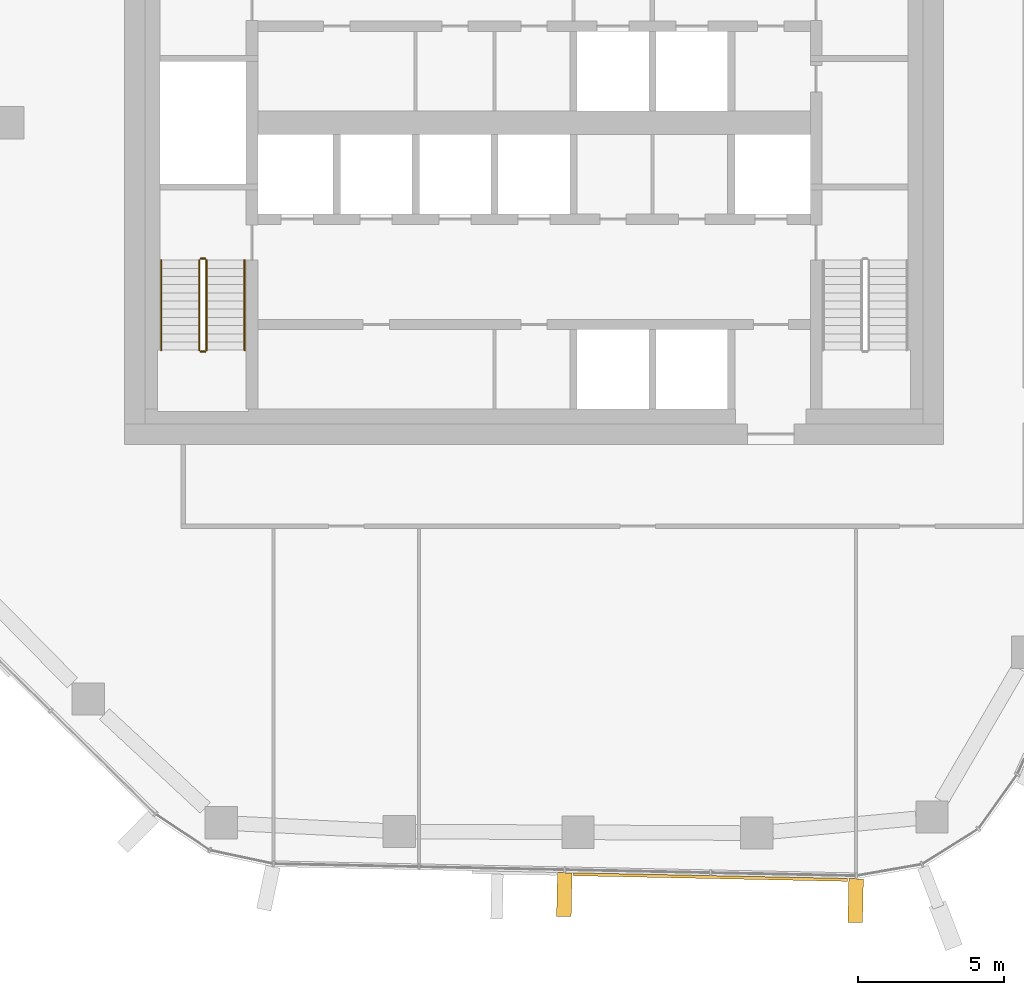
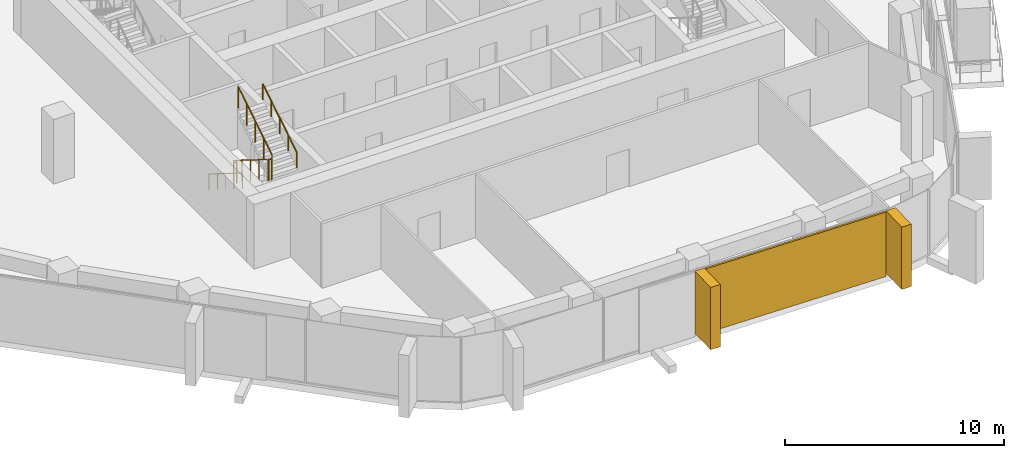
# One storey, part 16 of 21: 6 railings, 3 coverings, 1 element without a shape of its own.
"""IFC4 building model written with IfcOpenShell, lengths in metres."""

from ifc_helpers import new_model, si_unit, direction, frame, origin, origin_2d, place, context, subcontext, project, spatial, rectangle, circle, extrude, material, layer, layer_set, material_profile, profile_set, type_object, element, aggregate, save


model = new_model("IFC4")

# Units and contexts
model_context = context("Model", 3, precision=1e-05, world=origin(), true_north=direction((0.0, 1.0)))
body_context = subcontext(model_context, "Body", "Model", "MODEL_VIEW")
ifc_project = project(units=[si_unit("LENGTHUNIT", "METRE"), si_unit("AREAUNIT", "SQUARE_METRE"), si_unit("VOLUMEUNIT", "CUBIC_METRE"), si_unit("PLANEANGLEUNIT", "RADIAN"), si_unit("MASSUNIT", "GRAM", prefix="KILO")], contexts=[model_context])

# Site, building, storey
site_placement = place(None, origin())
site = spatial("IfcSite", under=ifc_project, at=site_placement, CompositionType="ELEMENT")
building_placement = place(site_placement, origin())
building = spatial("IfcBuilding", under=site, at=building_placement, Name="Dongbaek Canopy Tower", CompositionType="ELEMENT")
storey_placement = place(building_placement, frame((0.0, 0.0, 279.0)))
storey = spatial("IfcBuildingStorey", under=building, at=storey_placement, Name="L59", CompositionType="ELEMENT", Elevation=279.0)

# Curtain wall, coverings
ifc_material_1 = material(Name="Aluminium 6063-T6 pale anodised", Category="aluminium")
ifc_layer_1 = layer(ifc_material_1, 0.199951171875)
ifc_layer_set_1 = layer_set([ifc_layer_1], Name="CW-1 unitised tower curtain wall")
curtain_wall_type = type_object("IfcCurtainWallType", Name="CW-1 unitised tower curtain wall", PredefinedType="NOTDEFINED", material=ifc_layer_set_1)
curtain_wall_placement = place(storey_placement, origin())
curtain_wall = element("IfcCurtainWall", 1, at=curtain_wall_placement, inside=storey, type_object=curtain_wall_type, Name="CW-1 curtain wall F4.1", PredefinedType="NOTDEFINED")
ifc_material_2 = material(Name="Perforated aluminium 6063-T6 pale metal screen", Category="aluminium")
ifc_layer_2 = layer(ifc_material_2, 0.10009765625)
ifc_layer_set_2 = layer_set([ifc_layer_2], Name="Facet screen FS1 100 pale metal")
covering_type_1 = type_object("IfcCoveringType", Name="Facet screen FS1 100 pale metal", PredefinedType="CLADDING", material=ifc_layer_set_2)
covering_1_placement = place(storey_placement, frame((6.033447265625, -25.803466796875, 0.0), z_axis=(0.0, 0.0, 1.0), x_axis=(0.999789081443, -0.020537590596, 0.0)))
covering_1 = element("IfcCovering", 2, at=covering_1_placement, type_object=covering_type_1, Name="Facet screen L59 F4", PredefinedType="CLADDING", context=body_context, shape_type="SweptSolid", body=[
    extrude(rectangle(XDim=9.387451171875, YDim=0.10009765625, at=origin_2d()), origin(), (0.0, 0.0, 1.0), 3.60009765625),
])
ifc_material_3 = material(Name="Aluminium 6063-T6 pale metal fin", Category="aluminium")
ifc_material_profile = material_profile(ifc_material_3, rectangle(XDim=1.5, YDim=0.5, at=origin_2d()), Name="Fin FN1 500 x 1500 pale metal")
ifc_profile_set = profile_set([ifc_material_profile], Name="Aluminium 6063-T6 pale metal fin")
covering_type_2 = type_object("IfcCoveringType", Name="Fin FN1 500 x 1500 pale metal", PredefinedType="CLADDING", material=ifc_profile_set)
covering_2_placement = place(storey_placement, frame((1.036376953125, -26.40478515625, 0.1201171875), z_axis=(0.0, 0.0, 1.0), x_axis=(-0.020537333389, -0.999789086726, 0.0)))
covering_2 = element("IfcCovering", 3, at=covering_2_placement, type_object=covering_type_2, Name="Fin F4.1.3", PredefinedType="CLADDING", context=body_context, shape_type="SweptSolid", body=[
    extrude(rectangle(XDim=1.5, YDim=0.5, at=origin_2d()), origin(), (0.0, 0.0, 1.0), 3.47998046875),
])
covering_3_placement = place(storey_placement, frame((11.001708984375, -26.609619140625, 0.1201171875), z_axis=(0.0, 0.0, 1.0), x_axis=(-0.020537333389, -0.999789086726, 0.0)))
covering_3 = element("IfcCovering", 4, at=covering_3_placement, type_object=covering_type_2, Name="Fin F4.1.5", PredefinedType="CLADDING", context=body_context, shape_type="SweptSolid", body=[
    extrude(rectangle(XDim=1.5, YDim=0.5, at=origin_2d()), origin(), (0.0, 0.0, 1.0), 3.47998046875),
])
aggregate(curtain_wall, [covering_2, covering_3, covering_1])

# Railings
ifc_material_4 = material(Name="Stainless steel tube and balusters", Category="steel")
railing_type_1 = type_object("IfcRailingType", Name="Stair guard 1200", PredefinedType="GUARDRAIL", material=ifc_material_4)
railing_1_placement = place(storey_placement, frame((-11.449951171875, -4.699951171875, 0.175048828125)))
element("IfcRailing", 5, at=railing_1_placement, inside=storey, type_object=railing_type_1, Name="L59 ST-D stair guard 1", PredefinedType="GUARDRAIL", context=body_context, shape_type="SweptSolid", body=[
    extrude(circle(Radius=0.02392578125, at=origin_2d()), frame((0.0, 0.0, 1.17578125), z_axis=(0.0, -0.847998304005, 0.529998940003), x_axis=(1.0, 0.0, 0.0)), (0.0, 0.0, 1.0), 3.632080078125),
    extrude(circle(Radius=0.02099609375, at=origin_2d()), origin(), (0.0, 0.0, 1.0), 1.15185546875),
    extrude(circle(Radius=0.02099609375, at=origin_2d()), frame((0.0, -0.77001953125, 0.481201171875)), (0.0, 0.0, 1.0), 1.15185546875),
    extrude(circle(Radius=0.02099609375, at=origin_2d()), frame((0.0, -1.5400390625, 0.96240234375)), (0.0, 0.0, 1.0), 1.15185546875),
    extrude(circle(Radius=0.02099609375, at=origin_2d()), frame((0.0, -2.31005859375, 1.44384765625)), (0.0, 0.0, 1.0), 1.15185546875),
    extrude(circle(Radius=0.02099609375, at=origin_2d()), frame((0.0, -3.080078125, 1.925048828125)), (0.0, 0.0, 1.0), 1.15185546875),
])
railing_2_placement = place(storey_placement, frame((-11.39990234375, -7.830078125, 2.10009765625)))
element("IfcRailing", 6, at=railing_2_placement, inside=storey, type_object=railing_type_1, Name="L59 ST-D stair guard 2", PredefinedType="GUARDRAIL", context=body_context, shape_type="SweptSolid", body=[
    extrude(circle(Radius=0.02392578125, at=origin_2d()), frame((0.0, 0.0, 1.17578125), z_axis=(1.0, 0.0, 0.0), x_axis=(0.0, 1.0, 0.0)), (0.0, 0.0, 1.0), 0.14990234375),
    extrude(circle(Radius=0.02099609375, at=origin_2d()), origin(), (0.0, 0.0, 1.0), 1.15185546875),
    extrude(circle(Radius=0.02099609375, at=origin_2d()), frame((0.14990234375, 0.0, 0.0)), (0.0, 0.0, 1.0), 1.15185546875),
])
railing_3_placement = place(storey_placement, frame((-11.199951171875, -7.780029296875, 2.27490234375)))
element("IfcRailing", 7, at=railing_3_placement, inside=storey, type_object=railing_type_1, Name="L59 ST-D stair guard 3", PredefinedType="GUARDRAIL", context=body_context, shape_type="SweptSolid", body=[
    extrude(circle(Radius=0.02392578125, at=origin_2d()), frame((0.0, 0.0, 1.17578125), z_axis=(0.0, 0.847998304005, 0.529998940003), x_axis=(-1.0, 0.0, 0.0)), (0.0, 0.0, 1.0), 3.632080078125),
    extrude(circle(Radius=0.02099609375, at=origin_2d()), origin(), (0.0, 0.0, 1.0), 1.15185546875),
    extrude(circle(Radius=0.02099609375, at=origin_2d()), frame((0.0, 0.77001953125, 0.481201171875)), (0.0, 0.0, 1.0), 1.15185546875),
    extrude(circle(Radius=0.02099609375, at=origin_2d()), frame((0.0, 1.5400390625, 0.96240234375)), (0.0, 0.0, 1.0), 1.15185546875),
    extrude(circle(Radius=0.02099609375, at=origin_2d()), frame((0.0, 2.31005859375, 1.44384765625)), (0.0, 0.0, 1.0), 1.15185546875),
    extrude(circle(Radius=0.02099609375, at=origin_2d()), frame((0.0, 3.080078125, 1.925048828125)), (0.0, 0.0, 1.0), 1.15185546875),
])
railing_4_placement = place(storey_placement, frame((-11.39990234375, -4.64990234375, 0.0)))
element("IfcRailing", 8, at=railing_4_placement, inside=storey, type_object=railing_type_1, Name="L59 ST-D stair guard 4", PredefinedType="GUARDRAIL", context=body_context, shape_type="SweptSolid", body=[
    extrude(circle(Radius=0.02392578125, at=origin_2d()), frame((0.0, 0.0, 1.17578125), z_axis=(1.0, 0.0, 0.0), x_axis=(0.0, 1.0, 0.0)), (0.0, 0.0, 1.0), 0.14990234375),
    extrude(circle(Radius=0.02099609375, at=origin_2d()), origin(), (0.0, 0.0, 1.0), 1.15185546875),
    extrude(circle(Radius=0.02099609375, at=origin_2d()), frame((0.14990234375, 0.0, 0.0)), (0.0, 0.0, 1.0), 1.15185546875),
])
ifc_material_5 = material(Name="Stainless steel tube", Category="steel")
railing_type_2 = type_object("IfcRailingType", Name="Stair handrail 900", PredefinedType="HANDRAIL", material=ifc_material_5)
railing_5_placement = place(storey_placement, frame((-12.75, -4.699951171875, 0.175048828125)))
element("IfcRailing", 9, at=railing_5_placement, inside=storey, type_object=railing_type_2, Name="L59 ST-D stair handrail 1", PredefinedType="HANDRAIL", context=body_context, shape_type="SweptSolid", body=[
    extrude(circle(Radius=0.02392578125, at=origin_2d()), frame((0.0, 0.0, 0.8759765625), z_axis=(0.0, -0.847998304005, 0.529998940003), x_axis=(1.0, 0.0, 0.0)), (0.0, 0.0, 1.0), 3.632080078125),
    extrude(circle(Radius=0.02099609375, at=origin_2d()), origin(), (0.0, 0.0, 1.0), 0.851806640625),
    extrude(circle(Radius=0.02099609375, at=origin_2d()), frame((0.0, -0.77001953125, 0.481201171875)), (0.0, 0.0, 1.0), 0.851806640625),
    extrude(circle(Radius=0.02099609375, at=origin_2d()), frame((0.0, -1.5400390625, 0.96240234375)), (0.0, 0.0, 1.0), 0.851806640625),
    extrude(circle(Radius=0.02099609375, at=origin_2d()), frame((0.0, -2.31005859375, 1.44384765625)), (0.0, 0.0, 1.0), 0.851806640625),
    extrude(circle(Radius=0.02099609375, at=origin_2d()), frame((0.0, -3.080078125, 1.925048828125)), (0.0, 0.0, 1.0), 0.851806640625),
])
railing_6_placement = place(storey_placement, frame((-9.89990234375, -7.780029296875, 2.27490234375)))
element("IfcRailing", 10, at=railing_6_placement, inside=storey, type_object=railing_type_2, Name="L59 ST-D stair handrail 2", PredefinedType="HANDRAIL", context=body_context, shape_type="SweptSolid", body=[
    extrude(circle(Radius=0.02392578125, at=origin_2d()), frame((0.0, 0.0, 0.8759765625), z_axis=(0.0, 0.847998304005, 0.529998940003), x_axis=(-1.0, 0.0, 0.0)), (0.0, 0.0, 1.0), 3.632080078125),
    extrude(circle(Radius=0.02099609375, at=origin_2d()), origin(), (0.0, 0.0, 1.0), 0.851806640625),
    extrude(circle(Radius=0.02099609375, at=origin_2d()), frame((0.0, 0.77001953125, 0.481201171875)), (0.0, 0.0, 1.0), 0.851806640625),
    extrude(circle(Radius=0.02099609375, at=origin_2d()), frame((0.0, 1.5400390625, 0.96240234375)), (0.0, 0.0, 1.0), 0.851806640625),
    extrude(circle(Radius=0.02099609375, at=origin_2d()), frame((0.0, 2.31005859375, 1.44384765625)), (0.0, 0.0, 1.0), 0.851806640625),
    extrude(circle(Radius=0.02099609375, at=origin_2d()), frame((0.0, 3.080078125, 1.925048828125)), (0.0, 0.0, 1.0), 0.851806640625),
])

save(model, "model.ifc")
